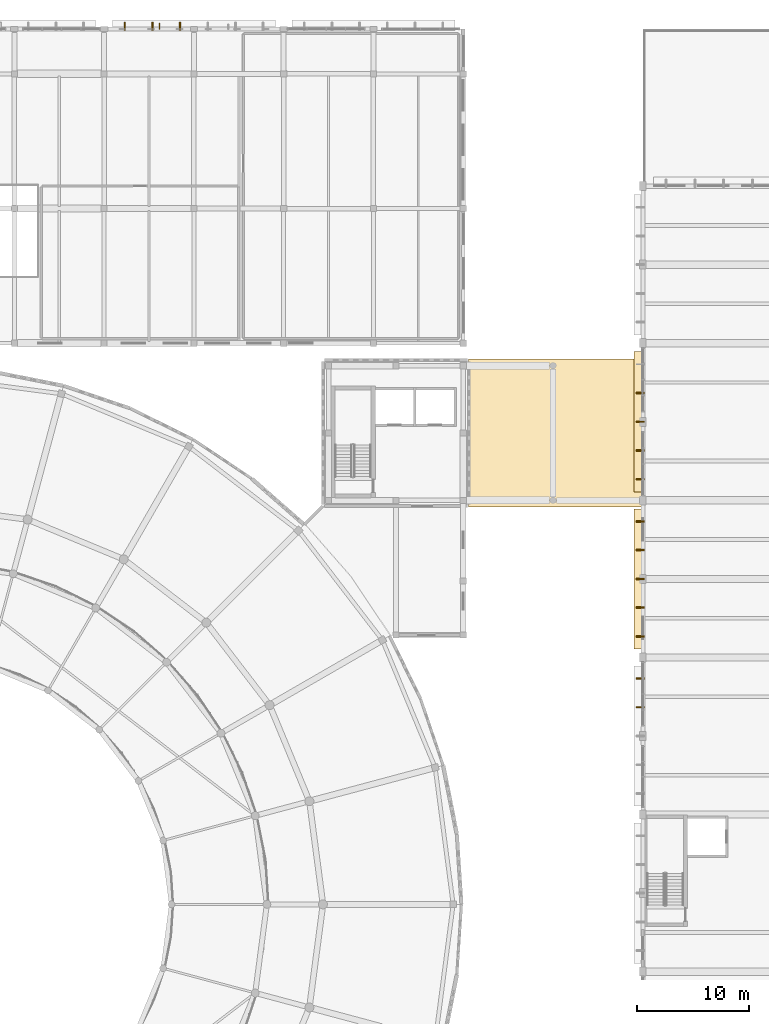
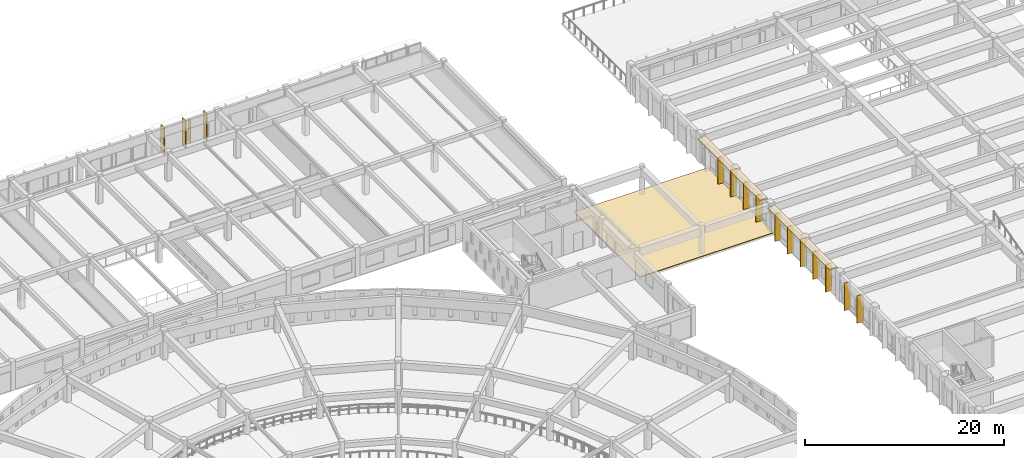
# One storey, part 142 of 155: 17 coverings, 1 shading device.
"""IFC4 building model written with IfcOpenShell, lengths in metres."""

from ifc_helpers import new_model, si_unit, direction, frame, origin, origin_2d, place, context, subcontext, project, spatial, polyline, rectangle, outline, extrude, material, layer, layer_set, type_object, element, save


model = new_model("IFC4")

# Units and contexts
model_context = context("Model", 3, precision=1e-05, world=origin(), true_north=direction((0.0, 1.0)))
body_context = subcontext(model_context, "Body", "Model", "MODEL_VIEW")
ifc_project = project(units=[si_unit("LENGTHUNIT", "METRE"), si_unit("AREAUNIT", "SQUARE_METRE"), si_unit("VOLUMEUNIT", "CUBIC_METRE"), si_unit("PLANEANGLEUNIT", "RADIAN"), si_unit("MASSUNIT", "GRAM", prefix="KILO")], contexts=[model_context])

# Site, building, storey
site_placement = place(None, origin())
site = spatial("IfcSite", under=ifc_project, at=site_placement, CompositionType="ELEMENT")
building_placement = place(site_placement, origin())
building = spatial("IfcBuilding", under=site, at=building_placement, Name="Larkveld Mobility Hub", CompositionType="ELEMENT")
storey_placement = place(building_placement, frame((0.0, 0.0, 8.39990234375)))
storey = spatial("IfcBuildingStorey", under=building, at=storey_placement, Name="L02", CompositionType="ELEMENT", Elevation=8.39990234375)

# Coverings
ifc_material_1 = material(Name="Precast concrete C50/60", Category="concrete")
ifc_layer_1 = layer(ifc_material_1, 0.14990234375, Name="Precast concrete C50/60", Category="concrete")
ifc_layer_set_1 = layer_set([ifc_layer_1], Name="Precast concrete C50/60")
covering_type_1 = type_object("IfcCoveringType", Name="COV-QSL-H01", PredefinedType="CLADDING", material=ifc_layer_set_1)
for number, where, z_axis, x_axis, name in (
    (1, (111.659912109375, 77.0, 3.3701171875), (0.0, 0.0, 1.0), (0.0, -1.0, 0.0), "Precast Quebra-Sol Horizontal Sunbreaker QSH-467"),
    (2, (111.659912109375, 91.0, 3.3701171875), (0.0, 0.0, 1.0), (0.0, -1.0, 0.0), "Precast Quebra-Sol Horizontal Sunbreaker QSH-473"),
):
    element("IfcCovering", number, at=place(storey_placement, frame(where, z_axis=z_axis, x_axis=x_axis)), inside=storey, type_object=covering_type_1, Name=name, PredefinedType="CLADDING", context=body_context, shape_type="SweptSolid", body=[
        extrude(rectangle(XDim=12.5, YDim=0.919921875, at=origin_2d()), origin(), (0.0, 0.0, 1.0), 0.14990234375),
    ])
ifc_layer_2 = layer(ifc_material_1, 0.1201171875, Name="Precast concrete C50/60", Category="concrete")
ifc_layer_set_2 = layer_set([ifc_layer_2], Name="Precast concrete C50/60")
covering_type_2 = type_object("IfcCoveringType", Name="COV-QSL-V01", PredefinedType="CLADDING", material=ifc_layer_set_2)
for number, where, z_axis, x_axis, name in (
    (3, (70.76708984375, 126.239990234375, -0.019287109375), (0.0, 0.0, 1.0), (-1.0, 0.0, 0.0), "Precast Quebra-Sol Vertical Fin QSV-136"),
    (4, (68.300048828125, 126.239990234375, -0.019287109375), (0.0, 0.0, 1.0), (-1.0, 0.0, 0.0), "Precast Quebra-Sol Vertical Fin QSV-137"),
    (5, (65.8330078125, 126.239990234375, -0.019287109375), (0.0, 0.0, 1.0), (-1.0, 0.0, 0.0), "Precast Quebra-Sol Vertical Fin QSV-138"),
    (6, (111.760009765625, 68.1201171875, -0.019287109375), (0.0, 0.0, 1.0), (0.0, -1.0, 0.0), "Precast Quebra-Sol Vertical Fin QSV-462"),
    (7, (111.760009765625, 65.56005859375, -0.019287109375), (0.0, 0.0, 1.0), (0.0, -1.0, 0.0), "Precast Quebra-Sol Vertical Fin QSV-463"),
    (8, (111.760009765625, 82.1201171875, -0.019287109375), (0.0, 0.0, 1.0), (0.0, -1.0, 0.0), "Precast Quebra-Sol Vertical Fin QSV-468"),
    (9, (111.760009765625, 79.56005859375, -0.019287109375), (0.0, 0.0, 1.0), (0.0, -1.0, 0.0), "Precast Quebra-Sol Vertical Fin QSV-469"),
    (10, (111.760009765625, 77.0, -0.019287109375), (0.0, 0.0, 1.0), (0.0, -1.0, 0.0), "Precast Quebra-Sol Vertical Fin QSV-470"),
    (11, (111.760009765625, 74.43994140625, -0.019287109375), (0.0, 0.0, 1.0), (0.0, -1.0, 0.0), "Precast Quebra-Sol Vertical Fin QSV-471"),
    (12, (111.760009765625, 71.8798828125, -0.019287109375), (0.0, 0.0, 1.0), (0.0, -1.0, 0.0), "Precast Quebra-Sol Vertical Fin QSV-472"),
    (13, (111.760009765625, 93.56005859375, -0.019287109375), (0.0, 0.0, 1.0), (0.0, -1.0, 0.0), "Precast Quebra-Sol Vertical Fin QSV-475"),
    (14, (111.760009765625, 91.0, -0.019287109375), (0.0, 0.0, 1.0), (0.0, -1.0, 0.0), "Precast Quebra-Sol Vertical Fin QSV-476"),
    (15, (111.760009765625, 88.43994140625, -0.019287109375), (0.0, 0.0, 1.0), (0.0, -1.0, 0.0), "Precast Quebra-Sol Vertical Fin QSV-477"),
    (16, (111.760009765625, 85.8798828125, -0.019287109375), (0.0, 0.0, 1.0), (0.0, -1.0, 0.0), "Precast Quebra-Sol Vertical Fin QSV-478"),
):
    element("IfcCovering", number, at=place(storey_placement, frame(where, z_axis=z_axis, x_axis=x_axis)), inside=storey, type_object=covering_type_2, Name=name, PredefinedType="CLADDING", context=body_context, shape_type="SweptSolid", body=[
        extrude(rectangle(XDim=0.1201171875, YDim=0.719970703125, at=origin_2d()), origin(), (0.0, 0.0, 1.0), 3.375),
    ])
ifc_material_2 = material(Name="Standing-seam zinc-alume roofing", Category="aluminium")
ifc_layer_3 = layer(ifc_material_2, 0.080078125, Name="Standing-seam zinc-alume roofing", Category="aluminium")
ifc_layer_set_3 = layer_set([ifc_layer_3], Name="Standing-seam zinc-alume roofing")
covering_type_3 = type_object("IfcCoveringType", Name="COV-RFG-01", PredefinedType="ROOFING", material=ifc_layer_set_3)
covering_placement = place(storey_placement, origin())
element("IfcCovering", 17, at=covering_placement, inside=storey, type_object=covering_type_3, Name="Footbridge L01 Standing-Seam Roof", PredefinedType="ROOFING", context=body_context, shape_type="SweptSolid", body=[
    extrude(outline(polyline([(96.47998046875, 83.39990234375), (112.0, 83.39990234375), (112.0, 96.60009765625), (96.47998046875, 96.60009765625), (96.47998046875, 83.39990234375)])), origin(), (0.0, 0.0, 1.0), 0.080078125),
])

# Shading device
ifc_layer_4 = layer(ifc_material_1, 0.074951171875, Name="Precast concrete C50/60", Category="concrete")
ifc_layer_set_4 = layer_set([ifc_layer_4], Name="Precast concrete C50/60")
shading_device_type = type_object("IfcShadingDeviceType", Name="SHD-JAL-02", PredefinedType="JALOUSIE", material=ifc_layer_set_4)
shading_device_placement = place(storey_placement, frame((68.93408203125, 126.2548828125, 0.30029296875), z_axis=(0.0, 0.0, 1.0), x_axis=(1.0, 0.0, 0.0)))
element("IfcShadingDevice", 18, at=shading_device_placement, inside=storey, type_object=shading_device_type, Name="North Facade Sunshade Fin NF-058", PredefinedType="JALOUSIE", context=body_context, shape_type="SweptSolid", body=[
    extrude(rectangle(XDim=0.074951171875, YDim=0.550048828125, at=origin_2d()), origin(), (0.0, 0.0, 1.0), 2.760009765625),
])

save(model, "model.ifc")
